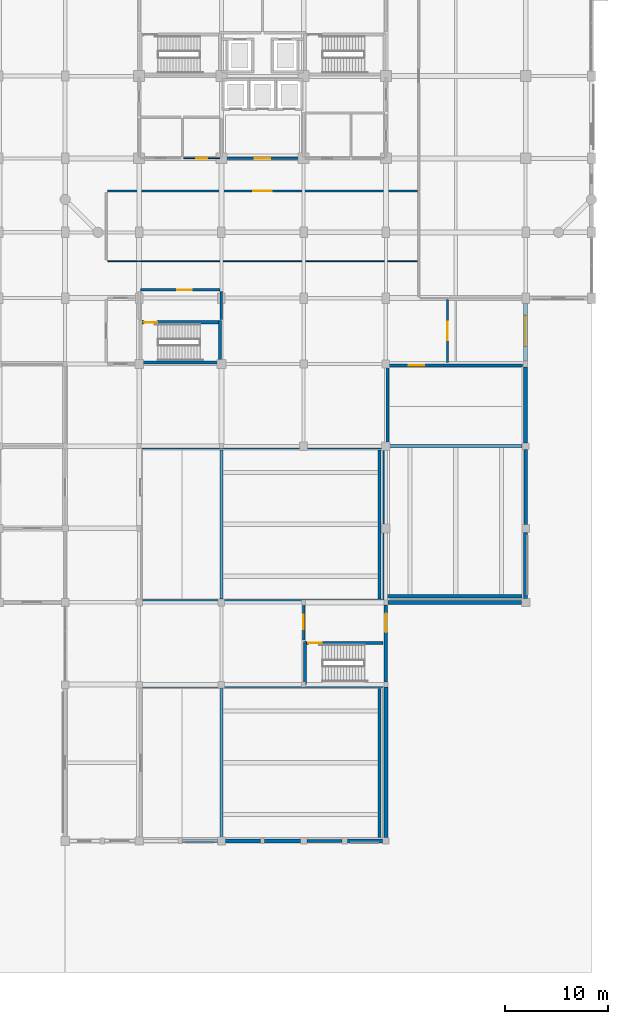
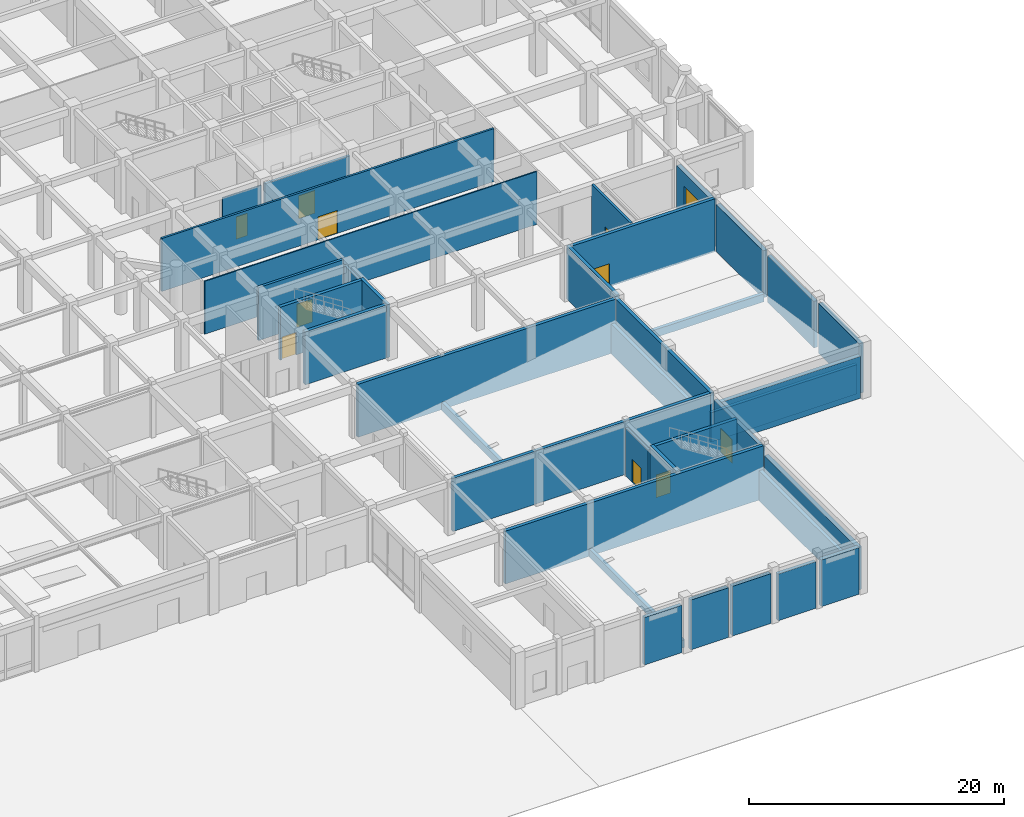
# One storey, part 32 of 40: 37 walls, 11 doors, 11 openings.
"""IFC4 building model written with IfcOpenShell, lengths in metres."""

from ifc_helpers import new_model, si_unit, direction, frame, frame_2d, origin, place, context, subcontext, project, spatial, rectangle, extrude, material, layer, layer_set, type_object, element, fill, save


model = new_model("IFC4")

# Units and contexts
model_context = context("Model", 3, precision=1e-05, world=origin(), true_north=direction((0.0, 1.0)))
body_context = subcontext(model_context, "Body", "Model", "MODEL_VIEW")
ifc_project = project(units=[si_unit("LENGTHUNIT", "METRE"), si_unit("AREAUNIT", "SQUARE_METRE"), si_unit("VOLUMEUNIT", "CUBIC_METRE"), si_unit("PLANEANGLEUNIT", "RADIAN"), si_unit("MASSUNIT", "GRAM", prefix="KILO")], contexts=[model_context])

# Site, building, storey
site_placement = place(None, origin())
site = spatial("IfcSite", under=ifc_project, at=site_placement, CompositionType="ELEMENT")
building_placement = place(site_placement, origin())
building = spatial("IfcBuilding", under=site, at=building_placement, Name="Vellmiral Cinema and Media Centre", CompositionType="ELEMENT")
storey_placement = place(building_placement, origin())
storey = spatial("IfcBuildingStorey", under=building, at=storey_placement, Name="L00", CompositionType="ELEMENT", Elevation=0.0)

# Wall, opening, door
ifc_material_1 = material(Name="Concrete C40/50", Category="concrete")
ifc_layer_1 = layer(ifc_material_1, 0.2099609375, Name="Concrete C40/50")
ifc_layer_set_1 = layer_set([ifc_layer_1], Name="Concrete C40/50")
wall_type_1 = type_object("IfcWallType", Name="WL-COMP-210", PredefinedType="SOLIDWALL", material=ifc_layer_set_1)
wall_1_placement = place(storey_placement, frame((154.0, 59.340087890625, 0.0), z_axis=(0.0, 0.0, 1.0), x_axis=(0.0, 1.0, 0.0)))
wall_1 = element("IfcWall", 1, at=wall_1_placement, inside=storey, type_object=wall_type_1, Name="Broadcast Ground Loading Bay Wall W", PredefinedType="SOLIDWALL", context=body_context, shape_type="SweptSolid", body=[
    extrude(rectangle(XDim=6.119873046875, YDim=0.2099609375, at=frame_2d((3.06005859375, 0.0))), origin(), (0.0, 0.0, 1.0), 5.080078125),
])
opening_1_placement = place(wall_1_placement, frame((2.159912109375, 0.0, 0.0)))
opening_1 = element("IfcOpeningElement", 2, at=opening_1_placement, cuts=wall_1, Name="Opening D-FD60", PredefinedType="OPENING", context=body_context, shape_type="SweptSolid", body=[
    extrude(rectangle(XDim=1.800048828125, YDim=2.300048828125, at=frame_2d((0.89990234375, 1.14990234375))), frame((0.0, 0.116943359375, 0.0), z_axis=(0.0, -1.0, 0.0), x_axis=(1.0, 0.0, 0.0)), (0.0, 0.0, 1.0), 0.23388671875),
])
ifc_material_2 = material(Name="Steel Fire Door", Category="steel")
door_type_1 = type_object("IfcDoorType", Name="DR-FD60-1800x2300", OperationType="DOUBLE_DOOR_SINGLE_SWING", PredefinedType="DOOR", material=ifc_material_2)
door_1_placement = place(opening_1_placement, origin())
door_1 = element("IfcDoor", 3, at=door_1_placement, inside=storey, type_object=door_type_1, Name="Broadcast Ground Loading Bay Door", OperationType="DOUBLE_DOOR_SINGLE_SWING", OverallHeight=2.300048828125, OverallWidth=1.800048828125, PredefinedType="DOOR", context=body_context, shape_type="SweptSolid", body=[
    extrude(rectangle(XDim=1.800048828125, YDim=2.300048828125, at=frame_2d((0.89990234375, 1.14990234375))), frame((0.0, 0.02490234375, 0.0), z_axis=(0.0, -1.0, 0.0), x_axis=(1.0, 0.0, 0.0)), (0.0, 0.0, 1.0), 0.050048828125),
])
fill(opening_1, door_1)

# Walls
ifc_material_3 = material(Name="Concrete C40/50", Category="concrete")
ifc_layer_2 = layer(ifc_material_3, 0.300048828125, Name="Concrete C40/50")
ifc_layer_set_2 = layer_set([ifc_layer_2], Name="Concrete C40/50")
wall_type_2 = type_object("IfcWallType", Name="WL-CORE-300", PredefinedType="SHEAR", material=ifc_layer_set_2)
for number, where, z_axis, x_axis, name in (
    (4, (124.300048828125, 27.85009765625, 0.0), (0.0, 0.0, 1.0), (1.0, 0.0, 0.0), "Cinema Screen 5 Acoustic Enclosure Wall L00-N1"),
    (5, (124.300048828125, 36.14990234375, 0.0), (0.0, 0.0, 1.0), (1.0, 0.0, 0.0), "Cinema Screen 6 Acoustic Enclosure Wall L00-S1"),
    (6, (124.300048828125, 51.050048828125, 0.0), (0.0, 0.0, 1.0), (1.0, 0.0, 0.0), "Cinema Screen 6 Acoustic Enclosure Wall L00-N1"),
):
    element("IfcWall", number, at=place(storey_placement, frame(where, z_axis=z_axis, x_axis=x_axis)), inside=storey, type_object=wall_type_2, Name=name, PredefinedType="SHEAR", context=body_context, shape_type="SweptSolid", body=[
        extrude(rectangle(XDim=23.39990234375, YDim=0.300048828125, at=frame_2d((11.699951171875, 0.0))), origin(), (0.0, 0.0, 1.0), 5.080078125),
    ])
wall_2_placement = place(storey_placement, frame((147.85009765625, 36.0, 0.0), z_axis=(0.0, 0.0, 1.0), x_axis=(0.0, 1.0, 0.0)))
element("IfcWall", 7, at=wall_2_placement, inside=storey, type_object=wall_type_2, Name="Cinema Screen 6 Acoustic Enclosure Wall L00-E1", PredefinedType="SHEAR", context=body_context, shape_type="SweptSolid", body=[
    extrude(rectangle(XDim=15.199951171875, YDim=0.300048828125, at=frame_2d((7.60009765625, 0.0))), origin(), (0.0, 0.0, 1.0), 5.080078125),
])

# Wall, opening, door
wall_3_placement = place(storey_placement, frame((148.300048828125, 59.050048828125, 0.0), z_axis=(0.0, 0.0, 1.0), x_axis=(1.0, 0.0, 0.0)))
wall_3 = element("IfcWall", 8, at=wall_3_placement, inside=storey, type_object=wall_type_2, Name="Cinema Screen 7 Acoustic Enclosure Wall L00-N1", PredefinedType="SHEAR", context=body_context, shape_type="SweptSolid", body=[
    extrude(rectangle(XDim=13.0, YDim=0.300048828125, at=frame_2d((6.5, 0.0))), origin(), (0.0, 0.0, 1.0), 5.080078125),
])
opening_2_placement = place(wall_3_placement, frame((1.949951171875, 0.0, 0.0)))
opening_2 = element("IfcOpeningElement", 9, at=opening_2_placement, cuts=wall_3, Name="Opening D-AC3", PredefinedType="OPENING", context=body_context, shape_type="SweptSolid", body=[
    extrude(rectangle(XDim=1.5, YDim=2.199951171875, at=frame_2d((0.75, 1.10009765625))), frame((0.0, 0.162109375, 0.0), z_axis=(0.0, -1.0, 0.0), x_axis=(1.0, 0.0, 0.0)), (0.0, 0.0, 1.0), 0.323974609375),
])
ifc_material_4 = material(Name="Acoustic Cinema Door", Category="steel")
door_type_2 = type_object("IfcDoorType", Name="DR-AC-1500x2200", OperationType="DOUBLE_DOOR_SINGLE_SWING", PredefinedType="DOOR", material=ifc_material_4)
door_2_placement = place(opening_2_placement, origin())
door_2 = element("IfcDoor", 10, at=door_2_placement, inside=storey, type_object=door_type_2, Name="Cinema Screen 7 Entrance Door", OperationType="DOUBLE_DOOR_SINGLE_SWING", OverallHeight=2.199951171875, OverallWidth=1.5, PredefinedType="DOOR", context=body_context, shape_type="SweptSolid", body=[
    extrude(rectangle(XDim=1.5, YDim=2.199951171875, at=frame_2d((0.75, 1.10009765625))), frame((0.0, 0.02490234375, 0.0), z_axis=(0.0, -1.0, 0.0), x_axis=(1.0, 0.0, 0.0)), (0.0, 0.0, 1.0), 0.050048828125),
])
fill(opening_2, door_2)

# Walls
wall_4_placement = place(storey_placement, frame((148.14990234375, 51.35009765625, 0.0), z_axis=(0.0, 0.0, 1.0), x_axis=(0.0, 1.0, 0.0)))
element("IfcWall", 11, at=wall_4_placement, inside=storey, type_object=wall_type_2, Name="Cinema Screen 7 Acoustic Enclosure Wall L00-W1", PredefinedType="SHEAR", context=body_context, shape_type="SweptSolid", body=[
    extrude(rectangle(XDim=7.849853515625, YDim=0.300048828125, at=frame_2d((3.9248046875, 0.0))), origin(), (0.0, 0.0, 1.0), 5.080078125),
])
wall_5_placement = place(storey_placement, frame((131.85009765625, 59.199951171875, 0.0), z_axis=(0.0, 0.0, 1.0), x_axis=(0.0, 1.0, 0.0)))
element("IfcWall", 12, at=wall_5_placement, inside=storey, type_object=wall_type_2, Name="Stair Core Wall ST-P6 L00-E", PredefinedType="SHEAR", context=body_context, shape_type="SweptSolid", body=[
    extrude(rectangle(XDim=4.199951171875, YDim=0.300048828125, at=frame_2d((2.10009765625, 0.0))), origin(), (0.0, 0.0, 1.0), 5.080078125),
])
wall_6_placement = place(storey_placement, frame((124.300048828125, 59.35009765625, 0.0), z_axis=(0.0, 0.0, 1.0), x_axis=(1.0, 0.0, 0.0)))
element("IfcWall", 13, at=wall_6_placement, inside=storey, type_object=wall_type_2, Name="Stair Core Wall ST-P6 L00-S", PredefinedType="SHEAR", context=body_context, shape_type="SweptSolid", body=[
    extrude(rectangle(XDim=7.39990234375, YDim=0.300048828125, at=frame_2d((3.699951171875, 0.0))), origin(), (0.0, 0.0, 1.0), 5.080078125),
])

# Wall, opening, door
wall_7_placement = place(storey_placement, frame((124.300048828125, 63.25, 0.0), z_axis=(0.0, 0.0, 1.0), x_axis=(1.0, 0.0, 0.0)))
wall_7 = element("IfcWall", 14, at=wall_7_placement, inside=storey, type_object=wall_type_2, Name="Stair Core Wall ST-P6 L00-N", PredefinedType="SHEAR", context=body_context, shape_type="SweptSolid", body=[
    extrude(rectangle(XDim=7.39990234375, YDim=0.300048828125, at=frame_2d((3.699951171875, 0.0))), origin(), (0.0, 0.0, 1.0), 5.080078125),
])
opening_3_placement = place(wall_7_placement, frame((0.159912109375, 0.0, 0.0)))
opening_3 = element("IfcOpeningElement", 15, at=opening_3_placement, cuts=wall_7, Name="Opening D-FD30A", PredefinedType="OPENING", context=body_context, shape_type="SweptSolid", body=[
    extrude(rectangle(XDim=1.300048828125, YDim=2.179931640625, at=frame_2d((0.64990234375, 1.08984375))), frame((0.0, 0.162109375, 0.0), z_axis=(0.0, -1.0, 0.0), x_axis=(1.0, 0.0, 0.0)), (0.0, 0.0, 1.0), 0.323974609375),
])
ifc_material_5 = material(Name="Steel Stair Fire Door", Category="steel")
door_type_3 = type_object("IfcDoorType", Name="DR-FD30-1300x2180", OperationType="NOTDEFINED", PredefinedType="DOOR", material=ifc_material_5)
door_3_placement = place(opening_3_placement, origin())
door_3 = element("IfcDoor", 16, at=door_3_placement, inside=storey, type_object=door_type_3, Name="Protected Stair Door ST-P6 L00", OperationType="SINGLE_SWING_LEFT", OverallHeight=2.179931640625, OverallWidth=1.300048828125, PredefinedType="DOOR", context=body_context, shape_type="SweptSolid", body=[
    extrude(rectangle(XDim=1.300048828125, YDim=2.179931640625, at=frame_2d((0.64990234375, 1.08984375))), frame((0.0, 0.02490234375, 0.0), z_axis=(0.0, -1.0, 0.0), x_axis=(1.0, 0.0, 0.0)), (0.0, 0.0, 1.0), 0.050048828125),
])
fill(opening_3, door_3)

# Wall
wall_8_placement = place(storey_placement, frame((140.14990234375, 28.0, 0.0), z_axis=(0.0, 0.0, 1.0), x_axis=(0.0, 1.0, 0.0)))
element("IfcWall", 17, at=wall_8_placement, inside=storey, type_object=wall_type_2, Name="Stair Core Wall ST-P8 L00-W", PredefinedType="SHEAR", context=body_context, shape_type="SweptSolid", body=[
    extrude(rectangle(XDim=4.199951171875, YDim=0.300048828125, at=frame_2d((2.10009765625, 0.0))), origin(), (0.0, 0.0, 1.0), 5.080078125),
])

# Wall, opening, door
wall_9_placement = place(storey_placement, frame((140.300048828125, 32.050048828125, 0.0), z_axis=(0.0, 0.0, 1.0), x_axis=(1.0, 0.0, 0.0)))
wall_9 = element("IfcWall", 18, at=wall_9_placement, inside=storey, type_object=wall_type_2, Name="Stair Core Wall ST-P8 L00-N", PredefinedType="SHEAR", context=body_context, shape_type="SweptSolid", body=[
    extrude(rectangle(XDim=7.39990234375, YDim=0.300048828125, at=frame_2d((3.699951171875, 0.0))), origin(), (0.0, 0.0, 1.0), 5.080078125),
])
opening_4_placement = place(wall_9_placement, frame((0.159912109375, 0.0, 0.0)))
opening_4 = element("IfcOpeningElement", 19, at=opening_4_placement, cuts=wall_9, Name="Opening D-FD30A", PredefinedType="OPENING", context=body_context, shape_type="SweptSolid", body=[
    extrude(rectangle(XDim=1.300048828125, YDim=2.179931640625, at=frame_2d((0.64990234375, 1.08984375))), frame((0.0, 0.162109375, 0.0), z_axis=(0.0, -1.0, 0.0), x_axis=(1.0, 0.0, 0.0)), (0.0, 0.0, 1.0), 0.323974609375),
])
door_4_placement = place(opening_4_placement, origin())
door_4 = element("IfcDoor", 20, at=door_4_placement, inside=storey, type_object=door_type_3, Name="Protected Stair Door ST-P8 L00", OperationType="SINGLE_SWING_LEFT", OverallHeight=2.179931640625, OverallWidth=1.300048828125, PredefinedType="DOOR", context=body_context, shape_type="SweptSolid", body=[
    extrude(rectangle(XDim=1.300048828125, YDim=2.179931640625, at=frame_2d((0.64990234375, 1.08984375))), frame((0.0, 0.02490234375, 0.0), z_axis=(0.0, -1.0, 0.0), x_axis=(1.0, 0.0, 0.0)), (0.0, 0.0, 1.0), 0.050048828125),
])
fill(opening_4, door_4)

# Walls
ifc_material_6 = material(Name="Polychrome Glazed Ceramic Cladding", Category="masonry")
ifc_layer_3 = layer(ifc_material_6, 0.320068359375, Name="Polychrome Glazed Ceramic Cladding")
ifc_layer_set_3 = layer_set([ifc_layer_3], Name="Polychrome Glazed Ceramic Cladding")
wall_type_3 = type_object("IfcWallType", Name="WL-EXT-BRICK-320", PredefinedType="SOLIDWALL", material=ifc_layer_set_3)
wall_10_placement = place(storey_placement, frame((128.199951171875, 12.800048828125, 0.0), z_axis=(0.0, 0.0, 1.0), x_axis=(1.0, 0.0, 0.0)))
element("IfcWall", 21, at=wall_10_placement, inside=storey, type_object=wall_type_3, Name="Exterior Facade Wall L00-024", PredefinedType="SOLIDWALL", context=body_context, shape_type="SweptSolid", body=[
    extrude(rectangle(XDim=3.400146484375, YDim=0.320068359375, at=frame_2d((1.7001953125, 0.0))), origin(), (0.0, 0.0, 1.0), 4.554931640625),
])
wall_11_placement = place(storey_placement, frame((140.324951171875, 12.800048828125, 0.0), z_axis=(0.0, 0.0, 1.0), x_axis=(1.0, 0.0, 0.0)))
element("IfcWall", 22, at=wall_11_placement, inside=storey, type_object=wall_type_3, Name="Exterior Facade Wall L00-027", PredefinedType="SOLIDWALL", context=body_context, shape_type="SweptSolid", body=[
    extrude(rectangle(XDim=3.425048828125, YDim=0.320068359375, at=frame_2d((1.71240234375, 0.0))), origin(), (0.0, 0.0, 1.0), 4.47509765625),
])

# Wall, opening, door
wall_12_placement = place(storey_placement, frame((148.0, 28.25, 0.0), z_axis=(0.0, 0.0, 1.0), x_axis=(0.0, 1.0, 0.0)))
wall_12 = element("IfcWall", 23, at=wall_12_placement, inside=storey, type_object=wall_type_3, Name="Exterior Facade Wall L00-030", PredefinedType="SOLIDWALL", context=body_context, shape_type="SweptSolid", body=[
    extrude(rectangle(XDim=7.5, YDim=0.320068359375, at=frame_2d((3.75, 0.0))), origin(), (0.0, 0.0, 1.0), 4.554931640625),
])
opening_5_placement = place(wall_12_placement, frame((4.85009765625, 0.0, 0.0)))
opening_5 = element("IfcOpeningElement", 24, at=opening_5_placement, cuts=wall_12, Name="Opening DE-03", PredefinedType="OPENING", context=body_context, shape_type="SweptSolid", body=[
    extrude(rectangle(XDim=1.800048828125, YDim=2.25, at=frame_2d((0.89990234375, 1.125))), frame((0.0, 0.171875, 0.0), z_axis=(0.0, -1.0, 0.0), x_axis=(1.0, 0.0, 0.0)), (0.0, 0.0, 1.0), 0.343994140625),
])
ifc_material_7 = material(Name="Thermally Broken Glazed Aluminium and Bronze Door", Category="aluminium")
door_type_4 = type_object("IfcDoorType", Name="DR-EXIT-1800x2250", OperationType="DOUBLE_DOOR_SINGLE_SWING", PredefinedType="DOOR", material=ifc_material_7)
door_5_placement = place(opening_5_placement, frame((1.800048828125, 0.0, 0.0), z_axis=(0.0, 0.0, 1.0), x_axis=(-1.0, 0.0, 0.0)))
door_5 = element("IfcDoor", 25, at=door_5_placement, inside=storey, type_object=door_type_4, Name="Firefighting Stair Lobby ST-P8 Harbour Quay Exit", OperationType="DOUBLE_DOOR_SINGLE_SWING", OverallHeight=2.25, OverallWidth=1.800048828125, PredefinedType="DOOR", context=body_context, shape_type="SweptSolid", body=[
    extrude(rectangle(XDim=1.800048828125, YDim=2.25, at=frame_2d((0.89990234375, 1.125))), frame((0.0, 0.02490234375, 0.0), z_axis=(0.0, -1.0, 0.0), x_axis=(1.0, 0.0, 0.0)), (0.0, 0.0, 1.0), 0.050048828125),
])
fill(opening_5, door_5)

# Walls
wall_13_placement = place(storey_placement, frame((161.60009765625, 43.574951171875, 0.0), z_axis=(0.0, 0.0, 1.0), x_axis=(0.0, 1.0, 0.0)))
element("IfcWall", 26, at=wall_13_placement, inside=storey, type_object=wall_type_3, Name="Exterior Facade Wall L00-033", PredefinedType="SOLIDWALL", context=body_context, shape_type="SweptSolid", body=[
    extrude(rectangle(XDim=7.300048828125, YDim=0.320068359375, at=frame_2d((3.64990234375, 0.0))), origin(), (0.0, 0.0, 1.0), 4.47509765625),
])
ifc_material_8 = material(Name="Vosges Red Sandstone Masonry", Category="masonry")
ifc_layer_4 = layer(ifc_material_8, 0.3798828125, Name="Vosges Red Sandstone Masonry")
ifc_layer_set_4 = layer_set([ifc_layer_4], Name="Vosges Red Sandstone Masonry")
wall_type_4 = type_object("IfcWallType", Name="WL-EXT-SAND-380", PredefinedType="SOLIDWALL", material=ifc_layer_set_4)
wall_14_placement = place(storey_placement, frame((132.39990234375, 12.800048828125, 0.0), z_axis=(0.0, 0.0, 1.0), x_axis=(1.0, 0.0, 0.0)))
element("IfcWall", 27, at=wall_14_placement, inside=storey, type_object=wall_type_4, Name="Exterior Facade Wall L00-025", PredefinedType="SOLIDWALL", context=body_context, shape_type="SweptSolid", body=[
    extrude(rectangle(XDim=3.425048828125, YDim=0.3798828125, at=frame_2d((1.71240234375, 0.0))), origin(), (0.0, 0.0, 1.0), 4.77490234375),
])
wall_15_placement = place(storey_placement, frame((136.175048828125, 12.800048828125, 0.0), z_axis=(0.0, 0.0, 1.0), x_axis=(1.0, 0.0, 0.0)))
element("IfcWall", 28, at=wall_15_placement, inside=storey, type_object=wall_type_4, Name="Exterior Facade Wall L00-026", PredefinedType="SOLIDWALL", context=body_context, shape_type="SweptSolid", body=[
    extrude(rectangle(XDim=3.5, YDim=0.3798828125, at=frame_2d((1.75, 0.0))), origin(), (0.0, 0.0, 1.0), 4.77490234375),
])
wall_16_placement = place(storey_placement, frame((144.25, 12.800048828125, 0.0), z_axis=(0.0, 0.0, 1.0), x_axis=(1.0, 0.0, 0.0)))
element("IfcWall", 29, at=wall_16_placement, inside=storey, type_object=wall_type_4, Name="Exterior Facade Wall L00-028", PredefinedType="SOLIDWALL", context=body_context, shape_type="SweptSolid", body=[
    extrude(rectangle(XDim=3.425048828125, YDim=0.3798828125, at=frame_2d((1.71240234375, 0.0))), origin(), (0.0, 0.0, 1.0), 4.47509765625),
])
wall_17_placement = place(storey_placement, frame((148.0, 13.125, 0.0), z_axis=(0.0, 0.0, 1.0), x_axis=(0.0, 1.0, 0.0)))
element("IfcWall", 30, at=wall_17_placement, inside=storey, type_object=wall_type_4, Name="Exterior Facade Wall L00-029", PredefinedType="SOLIDWALL", context=body_context, shape_type="SweptSolid", body=[
    extrude(rectangle(XDim=14.625, YDim=0.3798828125, at=frame_2d((7.3125, 0.0))), origin(), (0.0, 0.0, 1.0), 4.074951171875),
])
wall_18_placement = place(storey_placement, frame((148.199951171875, 36.0, 0.0), z_axis=(0.0, 0.0, 1.0), x_axis=(1.0, 0.0, 0.0)))
element("IfcWall", 31, at=wall_18_placement, inside=storey, type_object=wall_type_4, Name="Exterior Facade Wall L00-031", PredefinedType="SOLIDWALL", context=body_context, shape_type="SweptSolid", body=[
    extrude(rectangle(XDim=13.0, YDim=0.3798828125, at=frame_2d((6.5, 0.0))), origin(), (0.0, 0.0, 1.0), 4.02490234375),
])
wall_19_placement = place(storey_placement, frame((161.60009765625, 36.39990234375, 0.0), z_axis=(0.0, 0.0, 1.0), x_axis=(0.0, 1.0, 0.0)))
element("IfcWall", 32, at=wall_19_placement, inside=storey, type_object=wall_type_4, Name="Exterior Facade Wall L00-032", PredefinedType="SOLIDWALL", context=body_context, shape_type="SweptSolid", body=[
    extrude(rectangle(XDim=6.425048828125, YDim=0.3798828125, at=frame_2d((3.21240234375, 0.0))), origin(), (0.0, 0.0, 1.0), 4.77490234375),
])
wall_20_placement = place(storey_placement, frame((161.60009765625, 51.52490234375, 0.0), z_axis=(0.0, 0.0, 1.0), x_axis=(0.0, 1.0, 0.0)))
element("IfcWall", 33, at=wall_20_placement, inside=storey, type_object=wall_type_4, Name="Exterior Facade Wall L00-034", PredefinedType="SOLIDWALL", context=body_context, shape_type="SweptSolid", body=[
    extrude(rectangle(XDim=7.375, YDim=0.3798828125, at=frame_2d((3.6875, 0.0))), origin(), (0.0, 0.0, 1.0), 4.514892578125),
])

# Wall, opening, door
wall_21_placement = place(storey_placement, frame((161.60009765625, 59.5, 0.0), z_axis=(0.0, 0.0, 1.0), x_axis=(0.0, 1.0, 0.0)))
wall_21 = element("IfcWall", 34, at=wall_21_placement, inside=storey, type_object=wall_type_4, Name="Exterior Facade Wall L00-035", PredefinedType="SOLIDWALL", context=body_context, shape_type="SweptSolid", body=[
    extrude(rectangle(XDim=5.60009765625, YDim=0.3798828125, at=frame_2d((2.800048828125, 0.0))), origin(), (0.0, 0.0, 1.0), 4.4951171875),
])
opening_6_placement = place(wall_21_placement, frame((1.39990234375, 0.0, 0.0)))
opening_6 = element("IfcOpeningElement", 35, at=opening_6_placement, cuts=wall_21, Name="Opening DG-01", PredefinedType="OPENING", context=body_context, shape_type="SweptSolid", body=[
    extrude(rectangle(XDim=3.0, YDim=3.199951171875, at=frame_2d((1.5, 1.60009765625))), frame((0.0, 0.201904296875, 0.0), z_axis=(0.0, -1.0, 0.0), x_axis=(1.0, 0.0, 0.0)), (0.0, 0.0, 1.0), 0.40380859375),
])
ifc_material_9 = material(Name="Thermally Broken Glazed Aluminium and Bronze Door", Category="aluminium")
door_type_5 = type_object("IfcDoorType", Name="DR-DOCK-3000x3200", OperationType="ROLLINGUP", PredefinedType="GATE", material=ifc_material_9)
door_6_placement = place(opening_6_placement, frame((3.0, 0.0, 0.0), z_axis=(0.0, 0.0, 1.0), x_axis=(-1.0, 0.0, 0.0)))
door_6 = element("IfcDoor", 36, at=door_6_placement, inside=storey, type_object=door_type_5, Name="Broadcast Ground Loading Bay Roller Shutter", OperationType="ROLLINGUP", OverallHeight=3.199951171875, OverallWidth=3.0, PredefinedType="GATE", context=body_context, shape_type="SweptSolid", body=[
    extrude(rectangle(XDim=3.0, YDim=3.199951171875, at=frame_2d((1.5, 1.60009765625))), frame((0.0, 0.02490234375, 0.0), z_axis=(0.0, -1.0, 0.0), x_axis=(1.0, 0.0, 0.0)), (0.0, 0.0, 1.0), 0.050048828125),
])
fill(opening_6, door_6)

ifc_material_10 = material(Name="Concrete C40/50", Category="concrete")
ifc_layer_5 = layer(ifc_material_10, 0.22998046875, Name="Concrete C40/50")
ifc_layer_set_5 = layer_set([ifc_layer_5], Name="Concrete C40/50")
wall_type_5 = type_object("IfcWallType", Name="WL-FFL-230", PredefinedType="SOLIDWALL", material=ifc_layer_set_5)
wall_22_placement = place(storey_placement, frame((124.139892578125, 66.39990234375, 0.0), z_axis=(0.0, 0.0, 1.0), x_axis=(1.0, 0.0, 0.0)))
wall_22 = element("IfcWall", 37, at=wall_22_placement, inside=storey, type_object=wall_type_5, Name="Firefighting Stair Lobby ST-P6 Wall N", PredefinedType="SOLIDWALL", context=body_context, shape_type="SweptSolid", body=[
    extrude(rectangle(XDim=7.72021484375, YDim=0.22998046875, at=frame_2d((3.860107421875, 0.0))), origin(), (0.0, 0.0, 1.0), 5.080078125),
])
opening_7_placement = place(wall_22_placement, frame((3.56005859375, 0.0, 0.0)))
opening_7 = element("IfcOpeningElement", 38, at=opening_7_placement, cuts=wall_22, Name="Opening D-FD60B", PredefinedType="OPENING", context=body_context, shape_type="SweptSolid", body=[
    extrude(rectangle(XDim=1.39990234375, YDim=2.199951171875, at=frame_2d((0.699951171875, 1.10009765625))), frame((0.0, 0.126953125, 0.0), z_axis=(0.0, -1.0, 0.0), x_axis=(1.0, 0.0, 0.0)), (0.0, 0.0, 1.0), 0.25390625),
])
ifc_material_11 = material(Name="Steel Fire Door", Category="steel")
door_type_6 = type_object("IfcDoorType", Name="DR-FD60-1400x2200", OperationType="NOTDEFINED", PredefinedType="DOOR", material=ifc_material_11)
door_7_placement = place(opening_7_placement, origin())
door_7 = element("IfcDoor", 39, at=door_7_placement, inside=storey, type_object=door_type_6, Name="Firefighting Stair Lobby ST-P6 Door", OperationType="SINGLE_SWING_RIGHT", OverallHeight=2.199951171875, OverallWidth=1.39990234375, PredefinedType="DOOR", context=body_context, shape_type="SweptSolid", body=[
    extrude(rectangle(XDim=1.39990234375, YDim=2.199951171875, at=frame_2d((0.699951171875, 1.10009765625))), frame((0.0, 0.02490234375, 0.0), z_axis=(0.0, -1.0, 0.0), x_axis=(1.0, 0.0, 0.0)), (0.0, 0.0, 1.0), 0.050048828125),
])
fill(opening_7, door_7)

# Wall
wall_23_placement = place(storey_placement, frame((132.0, 63.5400390625, 0.0), z_axis=(0.0, 0.0, 1.0), x_axis=(0.0, 1.0, 0.0)))
element("IfcWall", 40, at=wall_23_placement, inside=storey, type_object=wall_type_5, Name="Firefighting Stair Lobby ST-P6 Wall E", PredefinedType="SOLIDWALL", context=body_context, shape_type="SweptSolid", body=[
    extrude(rectangle(XDim=2.719970703125, YDim=0.22998046875, at=frame_2d((1.35986328125, 0.0))), origin(), (0.0, 0.0, 1.0), 4.574951171875),
])

# Wall, opening, door
wall_24_placement = place(storey_placement, frame((140.0, 32.340087890625, 0.0), z_axis=(0.0, 0.0, 1.0), x_axis=(0.0, 1.0, 0.0)))
wall_24 = element("IfcWall", 41, at=wall_24_placement, inside=storey, type_object=wall_type_5, Name="Firefighting Stair Lobby ST-P8 Wall W", PredefinedType="SOLIDWALL", context=body_context, shape_type="SweptSolid", body=[
    extrude(rectangle(XDim=3.52001953125, YDim=0.22998046875, at=frame_2d((1.760009765625, 0.0))), origin(), (0.0, 0.0, 1.0), 4.574951171875),
])
opening_8_placement = place(wall_24_placement, frame((1.06005859375, 0.0, 0.0)))
opening_8 = element("IfcOpeningElement", 42, at=opening_8_placement, cuts=wall_24, Name="Opening D-FD60B", PredefinedType="OPENING", context=body_context, shape_type="SweptSolid", body=[
    extrude(rectangle(XDim=1.39990234375, YDim=2.199951171875, at=frame_2d((0.699951171875, 1.10009765625))), frame((0.0, 0.126953125, 0.0), z_axis=(0.0, -1.0, 0.0), x_axis=(1.0, 0.0, 0.0)), (0.0, 0.0, 1.0), 0.25390625),
])
door_8_placement = place(opening_8_placement, origin())
door_8 = element("IfcDoor", 43, at=door_8_placement, inside=storey, type_object=door_type_6, Name="Firefighting Stair Lobby ST-P8 Door", OperationType="SINGLE_SWING_LEFT", OverallHeight=2.199951171875, OverallWidth=1.39990234375, PredefinedType="DOOR", context=body_context, shape_type="SweptSolid", body=[
    extrude(rectangle(XDim=1.39990234375, YDim=2.199951171875, at=frame_2d((0.699951171875, 1.10009765625))), frame((0.0, 0.02490234375, 0.0), z_axis=(0.0, -1.0, 0.0), x_axis=(1.0, 0.0, 0.0)), (0.0, 0.0, 1.0), 0.050048828125),
])
fill(opening_8, door_8)

wall_25_placement = place(storey_placement, frame((132.139892578125, 79.199951171875, 0.0), z_axis=(0.0, 0.0, 1.0), x_axis=(1.0, 0.0, 0.0)))
wall_25 = element("IfcWall", 44, at=wall_25_placement, inside=storey, type_object=wall_type_5, Name="Tower Passenger Lift Lobby Wall S", PredefinedType="SOLIDWALL", context=body_context, shape_type="SweptSolid", body=[
    extrude(rectangle(XDim=7.72021484375, YDim=0.22998046875, at=frame_2d((3.860107421875, 0.0))), origin(), (0.0, 0.0, 1.0), 4.47509765625),
])
opening_9_placement = place(wall_25_placement, frame((3.110107421875, 0.0, 0.0)))
opening_9 = element("IfcOpeningElement", 45, at=opening_9_placement, cuts=wall_25, Name="Opening D-FD30", PredefinedType="OPENING", context=body_context, shape_type="SweptSolid", body=[
    extrude(rectangle(XDim=1.5, YDim=2.199951171875, at=frame_2d((0.75, 1.10009765625))), frame((0.0, 0.126953125, 0.0), z_axis=(0.0, -1.0, 0.0), x_axis=(1.0, 0.0, 0.0)), (0.0, 0.0, 1.0), 0.25390625),
])
ifc_material_12 = material(Name="Timber-Core Fire Door", Category="wood")
door_type_7 = type_object("IfcDoorType", Name="DR-FD30-1500x2200", OperationType="DOUBLE_DOOR_SINGLE_SWING", PredefinedType="DOOR", material=ifc_material_12)
door_9_placement = place(opening_9_placement, frame((1.5, 0.0, 0.0), z_axis=(0.0, 0.0, 1.0), x_axis=(-1.0, 0.0, 0.0)))
door_9 = element("IfcDoor", 46, at=door_9_placement, inside=storey, type_object=door_type_7, Name="Tower Passenger Lift Lobby Door", OperationType="DOUBLE_DOOR_SINGLE_SWING", OverallHeight=2.199951171875, OverallWidth=1.5, PredefinedType="DOOR", context=body_context, shape_type="SweptSolid", body=[
    extrude(rectangle(XDim=1.5, YDim=2.199951171875, at=frame_2d((0.75, 1.10009765625))), frame((0.0, 0.02490234375, 0.0), z_axis=(0.0, -1.0, 0.0), x_axis=(1.0, 0.0, 0.0)), (0.0, 0.0, 1.0), 0.050048828125),
])
fill(opening_9, door_9)

ifc_material_13 = material(Name="Gypsum Plasterboard")
ifc_layer_6 = layer(ifc_material_13, 0.02490234375, Name="Gypsum Plasterboard", Category="gypsum")
ifc_material_14 = material(Name="Mineral Wool Acoustic Insulation", Category="insulation")
ifc_layer_7 = layer(ifc_material_14, 0.06005859375, Name="Mineral Wool Acoustic Insulation", Category="insulation")
ifc_layer_8 = layer(ifc_material_13, 0.02490234375, Name="Gypsum Plasterboard", Category="gypsum")
ifc_layer_set_6 = layer_set([ifc_layer_6, ifc_layer_7, ifc_layer_8], Name="Gypsum Plasterboard")
wall_type_6 = type_object("IfcWallType", Name="WL-PART-110", PredefinedType="PARTITIONING", material=ifc_layer_set_6)
wall_26_placement = place(storey_placement, frame((128.340087890625, 79.199951171875, 0.0), z_axis=(0.0, 0.0, 1.0), x_axis=(1.0, 0.0, 0.0)))
wall_26 = element("IfcWall", 47, at=wall_26_placement, inside=storey, type_object=wall_type_6, Name="Accessible WC Wall S", PredefinedType="PARTITIONING", context=body_context, shape_type="SweptSolid", body=[
    extrude(rectangle(XDim=3.52001953125, YDim=0.110107421875, at=frame_2d((1.760009765625, 0.0))), origin(), (0.0, 0.0, 1.0), 4.425048828125),
])
opening_10_placement = place(wall_26_placement, frame((1.235107421875, 0.0, 0.0)))
opening_10 = element("IfcOpeningElement", 48, at=opening_10_placement, cuts=wall_26, Name="Opening D-I10", PredefinedType="OPENING", context=body_context, shape_type="SweptSolid", body=[
    extrude(rectangle(XDim=1.050048828125, YDim=2.14990234375, at=frame_2d((0.52490234375, 1.074951171875))), frame((0.0, 0.06689453125, 0.0), z_axis=(0.0, -1.0, 0.0), x_axis=(1.0, 0.0, 0.0)), (0.0, 0.0, 1.0), 0.134033203125),
])
ifc_material_15 = material(Name="Barrier-Free Timber Door", Category="wood")
door_type_8 = type_object("IfcDoorType", Name="DR-ACC-1050x2150", OperationType="NOTDEFINED", PredefinedType="DOOR", material=ifc_material_15)
door_10_placement = place(opening_10_placement, origin())
door_10 = element("IfcDoor", 49, at=door_10_placement, inside=storey, type_object=door_type_8, Name="Accessible WC Door", OperationType="SINGLE_SWING_LEFT", OverallHeight=2.14990234375, OverallWidth=1.050048828125, PredefinedType="DOOR", context=body_context, shape_type="SweptSolid", body=[
    extrude(rectangle(XDim=1.050048828125, YDim=2.14990234375, at=frame_2d((0.52490234375, 1.074951171875))), frame((0.0, 0.02490234375, 0.0), z_axis=(0.0, -1.0, 0.0), x_axis=(1.0, 0.0, 0.0)), (0.0, 0.0, 1.0), 0.050048828125),
])
fill(opening_10, door_10)

# Wall
wall_27_placement = place(storey_placement, frame((120.93994140625, 69.199951171875, 0.0), z_axis=(0.0, 0.0, 1.0), x_axis=(1.0, 0.0, 0.0)))
element("IfcWall", 50, at=wall_27_placement, inside=storey, type_object=wall_type_6, Name="Tower Ground Entrance Reception Wall S", PredefinedType="PARTITIONING", context=body_context, shape_type="SweptSolid", body=[
    extrude(rectangle(XDim=30.1201171875, YDim=0.110107421875, at=frame_2d((15.06005859375, 0.0))), origin(), (0.0, 0.0, 1.0), 5.080078125),
])

# Wall, opening, door
ifc_material_16 = material(Name="Gypsum Plasterboard")
ifc_layer_9 = layer(ifc_material_16, 0.02490234375, Name="Gypsum Plasterboard", Category="gypsum")
ifc_material_17 = material(Name="Mineral Wool Acoustic Insulation", Category="insulation")
ifc_layer_10 = layer(ifc_material_17, 0.139892578125, Name="Mineral Wool Acoustic Insulation", Category="insulation")
ifc_layer_11 = layer(ifc_material_16, 0.02490234375, Name="Gypsum Plasterboard", Category="gypsum")
ifc_layer_set_7 = layer_set([ifc_layer_9, ifc_layer_10, ifc_layer_11], Name="Gypsum Plasterboard")
wall_type_7 = type_object("IfcWallType", Name="WL-PART-190", PredefinedType="PARTITIONING", material=ifc_layer_set_7)
wall_28_placement = place(storey_placement, frame((120.93994140625, 76.0, 0.0), z_axis=(0.0, 0.0, 1.0), x_axis=(1.0, 0.0, 0.0)))
wall_28 = element("IfcWall", 51, at=wall_28_placement, inside=storey, type_object=wall_type_7, Name="Tower Ground Entrance Reception Wall N", PredefinedType="PARTITIONING", context=body_context, shape_type="SweptSolid", body=[
    extrude(rectangle(XDim=30.1201171875, YDim=0.18994140625, at=frame_2d((15.06005859375, 0.0))), origin(), (0.0, 0.0, 1.0), 5.080078125),
])
opening_11_placement = place(wall_28_placement, frame((14.159912109375, 0.0, 0.0)))
opening_11 = element("IfcOpeningElement", 52, at=opening_11_placement, cuts=wall_28, Name="Opening D-I01", PredefinedType="OPENING", context=body_context, shape_type="SweptSolid", body=[
    extrude(rectangle(XDim=1.800048828125, YDim=2.199951171875, at=frame_2d((0.89990234375, 1.10009765625))), frame((0.0, 0.10693359375, 0.0), z_axis=(0.0, -1.0, 0.0), x_axis=(1.0, 0.0, 0.0)), (0.0, 0.0, 1.0), 0.2138671875),
])
ifc_material_18 = material(Name="Laminated Timber and Glass Door", Category="wood")
door_type_9 = type_object("IfcDoorType", Name="DR-INT-1800x2200", OperationType="DOUBLE_DOOR_SINGLE_SWING", PredefinedType="DOOR", material=ifc_material_18)
door_11_placement = place(opening_11_placement, frame((1.800048828125, 0.0, 0.0), z_axis=(0.0, 0.0, 1.0), x_axis=(-1.0, 0.0, 0.0)))
door_11 = element("IfcDoor", 53, at=door_11_placement, inside=storey, type_object=door_type_9, Name="Tower Ground Entrance Reception Door", OperationType="DOUBLE_DOOR_SINGLE_SWING", OverallHeight=2.199951171875, OverallWidth=1.800048828125, PredefinedType="DOOR", context=body_context, shape_type="SweptSolid", body=[
    extrude(rectangle(XDim=1.800048828125, YDim=2.199951171875, at=frame_2d((0.89990234375, 1.10009765625))), frame((0.0, 0.02490234375, 0.0), z_axis=(0.0, -1.0, 0.0), x_axis=(1.0, 0.0, 0.0)), (0.0, 0.0, 1.0), 0.050048828125),
])
fill(opening_11, door_11)

# Walls
ifc_material_19 = material(Name="Concrete C40/50", Category="concrete")
ifc_layer_12 = layer(ifc_material_19, 0.300048828125, Name="Concrete C40/50")
ifc_layer_set_8 = layer_set([ifc_layer_12], Name="Concrete C40/50")
wall_type_8 = type_object("IfcWallType", Name="WL-RC-RAKER-300", PredefinedType="SHEAR", material=ifc_layer_set_8)
wall_29_placement = place(storey_placement, frame((132.0, 13.14990234375, 0.0), z_axis=(0.0, 0.0, 1.0), x_axis=(0.0, 1.0, 0.0)))
element("IfcWall", 54, at=wall_29_placement, inside=storey, type_object=wall_type_8, Name="Cinema Screen 5 Raker Front Support Wall", PredefinedType="SHEAR", context=body_context, shape_type="SweptSolid", body=[
    extrude(rectangle(XDim=14.5, YDim=0.300048828125, at=frame_2d((7.25, 0.0))), origin(), (0.0, 0.0, 1.0), 0.75),
])
wall_30_placement = place(storey_placement, frame((147.39990234375, 13.14990234375, 0.0), z_axis=(0.0, 0.0, 1.0), x_axis=(0.0, 1.0, 0.0)))
element("IfcWall", 55, at=wall_30_placement, inside=storey, type_object=wall_type_8, Name="Cinema Screen 5 Raker Rear Support Wall", PredefinedType="SHEAR", context=body_context, shape_type="SweptSolid", body=[
    extrude(rectangle(XDim=14.5, YDim=0.300048828125, at=frame_2d((7.25, 0.0))), origin(), (0.0, 0.0, 1.0), 2.871337890625),
])
wall_31_placement = place(storey_placement, frame((132.0, 36.35009765625, 0.0), z_axis=(0.0, 0.0, 1.0), x_axis=(0.0, 1.0, 0.0)))
element("IfcWall", 56, at=wall_31_placement, inside=storey, type_object=wall_type_8, Name="Cinema Screen 6 Raker Front Support Wall", PredefinedType="SHEAR", context=body_context, shape_type="SweptSolid", body=[
    extrude(rectangle(XDim=14.5, YDim=0.300048828125, at=frame_2d((7.25, 0.0))), origin(), (0.0, 0.0, 1.0), 0.75),
])
wall_32_placement = place(storey_placement, frame((147.39990234375, 36.35009765625, 0.0), z_axis=(0.0, 0.0, 1.0), x_axis=(0.0, 1.0, 0.0)))
element("IfcWall", 57, at=wall_32_placement, inside=storey, type_object=wall_type_8, Name="Cinema Screen 6 Raker Rear Support Wall", PredefinedType="SHEAR", context=body_context, shape_type="SweptSolid", body=[
    extrude(rectangle(XDim=14.5, YDim=0.300048828125, at=frame_2d((7.25, 0.0))), origin(), (0.0, 0.0, 1.0), 2.871337890625),
])
wall_33_placement = place(storey_placement, frame((148.35009765625, 51.199951171875, 0.0), z_axis=(0.0, 0.0, 1.0), x_axis=(1.0, 0.0, 0.0)))
element("IfcWall", 58, at=wall_33_placement, inside=storey, type_object=wall_type_8, Name="Cinema Screen 7 Raker Front Support Wall", PredefinedType="SHEAR", context=body_context, shape_type="SweptSolid", body=[
    extrude(rectangle(XDim=12.89990234375, YDim=0.300048828125, at=frame_2d((6.449951171875, 0.0))), origin(), (0.0, 0.0, 1.0), 0.75),
])
wall_34_placement = place(storey_placement, frame((148.0, 36.60009765625, 0.0), z_axis=(0.0, 0.0, 1.0), x_axis=(1.0, 0.0, 0.0)))
element("IfcWall", 59, at=wall_34_placement, inside=storey, type_object=wall_type_8, Name="Cinema Screen 7 Raker Rear Support Wall", PredefinedType="SHEAR", context=body_context, shape_type="SweptSolid", body=[
    extrude(rectangle(XDim=13.25, YDim=0.300048828125, at=frame_2d((6.625, 0.0))), origin(), (0.0, 0.0, 1.0), 2.816162109375),
])

save(model, "model.ifc")
